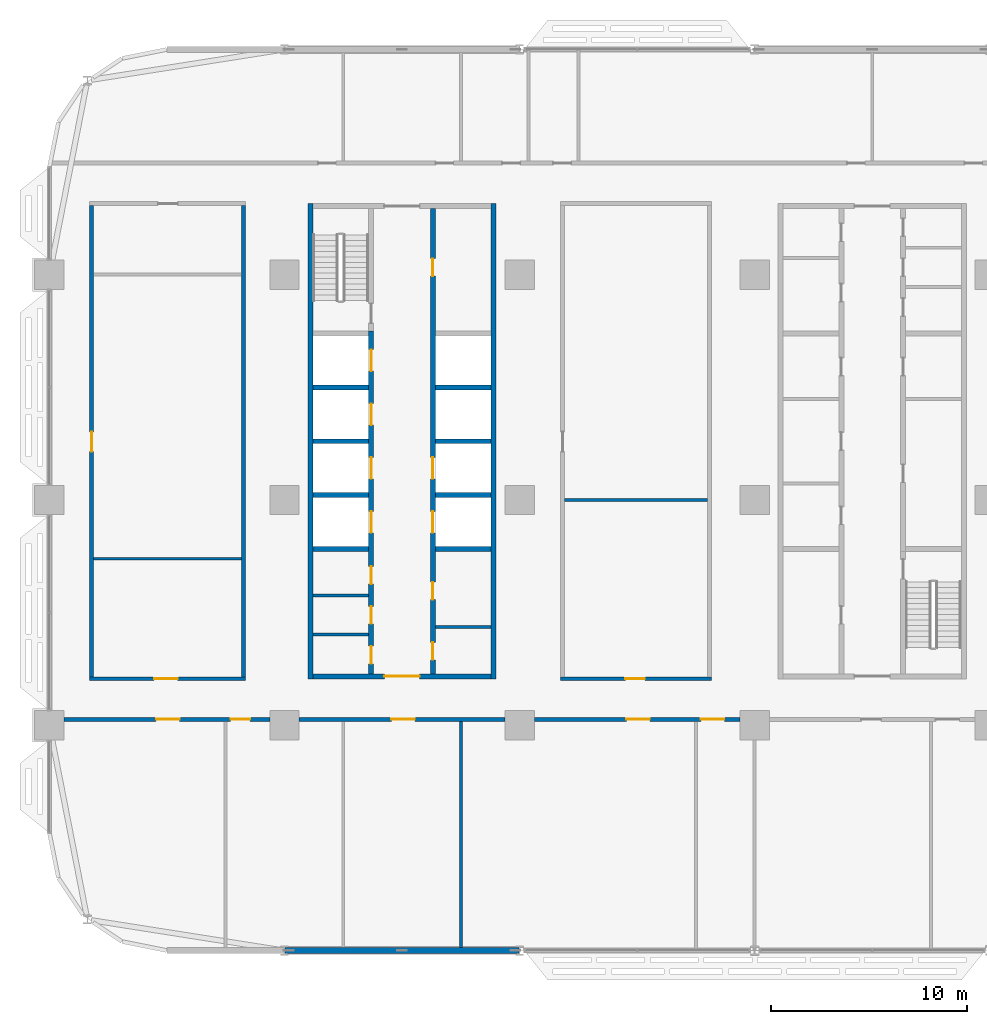
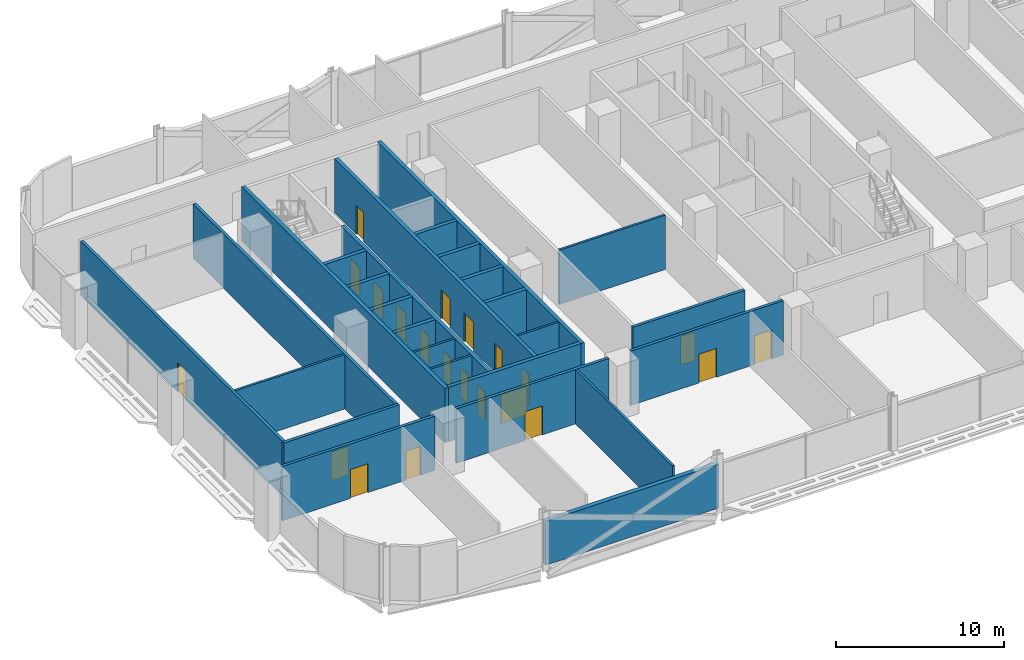
# One storey, part 12 of 29: 27 walls, 21 doors, 21 openings.
"""IFC4 building model written with IfcOpenShell, lengths in metres."""

import ifcopenshell
import ifcopenshell.guid

model = None  # the IFC model being written
_history = None  # IfcOwnerHistory: only IFC2X3 demands one
_inside = {}  # id of a spatial element -> (the spatial element, [elements in it])
_under = {}  # id of a project, library or spatial element -> (it, [spatial elements below it])
_declared = {}  # id of a project -> (the project, [libraries it declares])
_typed = {}  # id of a type object -> (the type object, [elements of that type])
_made_of = {}  # id of a material, layer set ... -> (it, [elements and type objects made of it])


def new_model(schema):
    """Start an empty IFC model of exactly this schema.

    Asked for "IFC4X3", IfcOpenShell would pick the latest addendum, in which some entities
    have other attributes; the version numbers below select the first issue.
    IFC2X3 requires an IfcOwnerHistory on every rooted entity: one is made here for all.
    """
    global model, _history
    if schema == "IFC4X3":
        model = ifcopenshell.file(schema_version=(4, 3, 0, 0))
    else:
        model = ifcopenshell.file(schema=schema)
    _inside.clear()
    _under.clear()
    _declared.clear()
    _typed.clear()
    _made_of.clear()
    _history = None
    if model.schema == "IFC2X3":
        org = make("IfcOrganization", Name="unknown")
        user = make(
            "IfcPersonAndOrganization",
            ThePerson=make("IfcPerson", FamilyName="unknown"),
            TheOrganization=org,
        )
        app = make(
            "IfcApplication",
            ApplicationDeveloper=org,
            Version="unknown",
            ApplicationFullName="unknown",
            ApplicationIdentifier="unknown",
        )
        _history = make(
            "IfcOwnerHistory",
            OwningUser=user,
            OwningApplication=app,
            ChangeAction="ADDED",
            CreationDate=0,
        )
    return model


def make(cls, **values):
    """One entity of the class cls with the attributes given. An attribute that is None is left unset."""
    return model.create_entity(
        cls, **{name: value for name, value in values.items() if value is not None}
    )


def rooted(cls, **values):
    """An entity with a GlobalId (a new one), such as an element, a storey or a relation."""
    return make(cls, GlobalId=ifcopenshell.guid.new(), OwnerHistory=_history, **values)


def si_unit(unit_type, name, prefix=None):
    """IfcSIUnit, for example si_unit("LENGTHUNIT", "METRE", prefix="MILLI")."""
    return make("IfcSIUnit", UnitType=unit_type, Prefix=prefix, Name=name)


def assignment(units):
    """IfcUnitAssignment: the units of a project."""
    return None if units is None else make("IfcUnitAssignment", Units=units)


def point(xyz):
    """IfcCartesianPoint."""
    return None if xyz is None else make("IfcCartesianPoint", Coordinates=xyz)


def direction(xyz):
    """IfcDirection."""
    return None if xyz is None else make("IfcDirection", DirectionRatios=xyz)


def frame(location, z_axis=None, x_axis=None):
    """IfcAxis2Placement3D, a coordinate frame: its origin and axes. An axis left out is left unset."""
    return make(
        "IfcAxis2Placement3D",
        Location=point(location),
        Axis=direction(z_axis),
        RefDirection=direction(x_axis),
    )


def frame_2d(location, x_axis=None):
    """IfcAxis2Placement2D, a coordinate frame in the plane: its origin and x axis."""
    return make(
        "IfcAxis2Placement2D", Location=point(location), RefDirection=direction(x_axis)
    )


def origin():
    """The frame at (0, 0, 0) with its axes left unset."""
    return frame((0.0, 0.0, 0.0))


def place(relative_to, where):
    """IfcLocalPlacement: puts the frame where relative to a parent placement (None: the world)."""
    return make(
        "IfcLocalPlacement", PlacementRelTo=relative_to, RelativePlacement=where
    )


def context(
    kind, dimensions, precision=None, world=None, true_north=None, identifier=None
):
    """IfcGeometricRepresentationContext, for example the 3D "Model" context."""
    return make(
        "IfcGeometricRepresentationContext",
        ContextIdentifier=identifier,
        ContextType=kind,
        CoordinateSpaceDimension=dimensions,
        Precision=precision,
        WorldCoordinateSystem=world,
        TrueNorth=true_north,
    )


def subcontext(parent, identifier, kind, view, scale=None):
    """IfcGeometricRepresentationSubContext, for example "Body" below "Model"."""
    return make(
        "IfcGeometricRepresentationSubContext",
        ContextIdentifier=identifier,
        ContextType=kind,
        ParentContext=parent,
        TargetScale=scale,
        TargetView=view,
    )


def project(units=None, contexts=None):
    """IfcProject with its units and contexts."""
    return rooted(
        "IfcProject",
        Name="project",
        RepresentationContexts=contexts,
        UnitsInContext=assignment(units),
    )


def spatial(cls, under=None, at=None, **own):
    """A site, building, storey or space (cls), placed at a placement, below another one or the project."""
    s = rooted(cls, ObjectPlacement=at, **own)
    if under is not None:
        _under.setdefault(under.id(), (under, []))[1].append(s)
    return s


def profile(cls, at=None, kind="AREA", **sizes):
    """A parametric profile (cls). Its sizes go by their IFC names, for example OverallWidth=200.0."""
    return make(cls, ProfileType=kind, Position=at, **sizes)


def rectangle(**sizes):
    """IfcRectangleProfileDef."""
    return profile("IfcRectangleProfileDef", **sizes)


def extrude(swept, where, along, depth):
    """IfcExtrudedAreaSolid: the profile swept, set in the frame where, extruded along a direction by depth."""
    return make(
        "IfcExtrudedAreaSolid",
        SweptArea=swept,
        Position=where,
        ExtrudedDirection=direction(along),
        Depth=depth,
    )


def shape(context_of_items, identifier, shape_type, items):
    """IfcShapeRepresentation: the items that make up one representation, for example the "Body"."""
    return make(
        "IfcShapeRepresentation",
        ContextOfItems=context_of_items,
        RepresentationIdentifier=identifier,
        RepresentationType=shape_type,
        Items=items,
    )


def material(Name=None, Category=None):
    """IfcMaterial."""
    return make("IfcMaterial", Name=Name, Category=Category)


def layer(
    of_material, thickness, ventilated=None, Name=None, Category=None, Priority=None
):
    """IfcMaterialLayer: one layer of a wall or slab, of a material (None: an air gap)."""
    return make(
        "IfcMaterialLayer",
        Material=of_material,
        LayerThickness=thickness,
        IsVentilated=ventilated,
        Name=Name,
        Category=Category,
        Priority=Priority,
    )


def layer_set(layers, Name=None):
    """IfcMaterialLayerSet."""
    return make("IfcMaterialLayerSet", MaterialLayers=layers, LayerSetName=Name)


def made_of(thing, what):
    """Note that an element or type object is made of a material, layer set ...; save() writes the relation."""
    if what is not None:
        _made_of.setdefault(what.id(), (what, []))[1].append(thing)
    return thing


def type_object(cls, material=None, **own):
    """A type object (cls), such as IfcWallType, which elements share."""
    return made_of(rooted(cls, **own), material)


def element(
    cls,
    number,
    at=None,
    inside=None,
    cuts=None,
    type_object=None,
    material=None,
    context=None,
    identifier="Body",
    shape_type=None,
    held_by="IfcProductDefinitionShape",
    body=None,
    shapes=None,
    **own,
):
    """One element of the class cls, such as IfcWall. Its Tag is "e" and its number.

    at: its placement. inside: the storey or other place that contains it. cuts: it is an
    opening in that element (IfcRelVoidsElement). A single representation is given by context,
    identifier, shape_type and body (its items); several are given by shapes. held_by: the class
    of the entity that holds the representations. save() writes the other relations.
    """
    e = rooted(cls, Tag="e%d" % number, ObjectPlacement=at, **own)
    if body is not None:
        shapes = [shape(context, identifier, shape_type, body)]
    if shapes is not None:
        e.Representation = make(held_by, Representations=shapes)
    if inside is not None:
        _inside.setdefault(inside.id(), (inside, []))[1].append(e)
    if cuts is not None:
        rooted(
            "IfcRelVoidsElement", RelatingBuildingElement=cuts, RelatedOpeningElement=e
        )
    if type_object is not None:
        _typed.setdefault(type_object.id(), (type_object, []))[1].append(e)
    return made_of(e, material)


def fill(opening, filler):
    """IfcRelFillsElement: the door or window that sits in an opening."""
    return rooted(
        "IfcRelFillsElement",
        RelatingOpeningElement=opening,
        RelatedBuildingElement=filler,
    )


def aggregate(whole, parts):
    """IfcRelAggregates: a whole, such as a stair, and the parts it consists of."""
    return rooted("IfcRelAggregates", RelatingObject=whole, RelatedObjects=parts)


def save(model, path):
    """Write the relations noted so far, then the file.

    IfcRelAggregates (storeys below a building ...), IfcRelContainedInSpatialStructure (elements
    in a storey), IfcRelDefinesByType, IfcRelAssociatesMaterial and IfcRelDeclares: one each for
    every whole, place, type object, material and project.
    """
    for whole, parts in _under.values():
        aggregate(whole, parts)
    for where, things in _inside.values():
        rooted(
            "IfcRelContainedInSpatialStructure",
            RelatedElements=things,
            RelatingStructure=where,
        )
    for kind, things in _typed.values():
        rooted("IfcRelDefinesByType", RelatedObjects=things, RelatingType=kind)
    for what, things in _made_of.values():
        rooted("IfcRelAssociatesMaterial", RelatedObjects=things, RelatingMaterial=what)
    for by, libraries in _declared.values():
        rooted("IfcRelDeclares", RelatingContext=by, RelatedDefinitions=libraries)
    model.write(path)


model = new_model("IFC4")

# Units and contexts
model_context = context("Model", 3, precision=1e-05, world=origin(), true_north=direction((0.0, 1.0)))
body_context = subcontext(model_context, "Body", "Model", "MODEL_VIEW")
ifc_project = project(units=[si_unit("LENGTHUNIT", "METRE"), si_unit("AREAUNIT", "SQUARE_METRE"), si_unit("VOLUMEUNIT", "CUBIC_METRE"), si_unit("PLANEANGLEUNIT", "RADIAN"), si_unit("MASSUNIT", "GRAM", prefix="KILO")], contexts=[model_context])

# Site, building, storey
site_placement = place(None, origin())
site = spatial("IfcSite", under=ifc_project, at=site_placement, CompositionType="ELEMENT")
building_placement = place(site_placement, origin())
building = spatial("IfcBuilding", under=site, at=building_placement, Name="Mahtab Terrace Research Tower", CompositionType="ELEMENT")
storey_placement = place(building_placement, frame((0.0, 0.0, 71.800048828125)))
storey = spatial("IfcBuildingStorey", under=building, at=storey_placement, Name="L16", CompositionType="ELEMENT", Elevation=71.800048828125)

# Walls
ifc_material_1 = material(Name="Gypsum board partition")
ifc_layer_1 = layer(ifc_material_1, 0.14990234375)
ifc_layer_set_1 = layer_set([ifc_layer_1], Name="Core partition 150")
wall_type_1 = type_object("IfcWallType", Name="Core partition 150", PredefinedType="PARTITIONING", material=ifc_layer_set_1)
for number, where, z_axis, x_axis, name in (
    (1, (-28.550048828125, -6.875, 0.0), (0.0, 0.0, 1.0), (1.0, 0.0, 0.0), "Core wall A pWS-988"),
    (2, (-28.550048828125, -4.875, 0.0), (0.0, 0.0, 1.0), (1.0, 0.0, 0.0), "Core wall A pWS-788"),
    (3, (-22.300048828125, -6.47509765625, 0.0), (0.0, 0.0, 1.0), (1.0, 0.0, 0.0), "Core wall A pES-948"),
):
    element("IfcWall", number, at=place(storey_placement, frame(where, z_axis=z_axis, x_axis=x_axis)), inside=storey, type_object=wall_type_1, Name=name, PredefinedType="PARTITIONING", context=body_context, shape_type="SweptSolid", body=[
        extrude(rectangle(XDim=2.85009765625, YDim=0.14990234375, at=frame_2d((1.425048828125, 0.0))), origin(), (0.0, 0.0, 1.0), 3.9599609375),
    ])
ifc_material_2 = material(Name="Concrete C70/85", Category="concrete")
ifc_layer_2 = layer(ifc_material_2, 0.25)
ifc_layer_set_2 = layer_set([ifc_layer_2], Name="Core wall 250")
wall_type_2 = type_object("IfcWallType", Name="Core wall 250", PredefinedType="SOLIDWALL", material=ifc_layer_set_2)
for number, where, z_axis, x_axis, name in (
    (4, (-28.675048828125, 15.125, 0.0), (0.0, 0.0, 1.0), (0.0, -1.0, 0.0), "Core wall A outerW"),
    (5, (-19.324951171875, -9.125, 0.0), (0.0, 0.0, 1.0), (0.0, 1.0, 0.0), "Core wall A outerE"),
):
    element("IfcWall", number, at=place(storey_placement, frame(where, z_axis=z_axis, x_axis=x_axis)), inside=storey, type_object=wall_type_2, Name=name, PredefinedType="SOLIDWALL", context=body_context, shape_type="SweptSolid", body=[
        extrude(rectangle(XDim=24.25, YDim=0.25, at=frame_2d((12.125, 0.0))), origin(), (0.0, 0.0, 1.0), 3.9599609375),
    ])

# Wall, opening, door
wall_1_placement = place(storey_placement, frame((-19.449951171875, -9.0, 0.0), z_axis=(0.0, 0.0, 1.0), x_axis=(-1.0, 0.0, 0.0)))
wall_1 = element("IfcWall", 6, at=wall_1_placement, inside=storey, type_object=wall_type_2, Name="Core wall A endS", PredefinedType="SOLIDWALL", context=body_context, shape_type="SweptSolid", body=[
    extrude(rectangle(XDim=9.10009765625, YDim=0.25, at=frame_2d((4.550048828125, 0.0))), origin(), (0.0, 0.0, 1.0), 3.9599609375),
])
opening_1_placement = place(wall_1_placement, frame((3.64990234375, 0.0, 0.0)))
opening_1 = element("IfcOpeningElement", 7, at=opening_1_placement, cuts=wall_1, Name="Opening A-S1", PredefinedType="OPENING", context=body_context, shape_type="SweptSolid", body=[
    extrude(rectangle(XDim=1.800048828125, YDim=2.10009765625, at=frame_2d((0.89990234375, 1.050048828125))), frame((0.0, 0.135009765625, 0.0), z_axis=(0.0, -1.0, 0.0), x_axis=(1.0, 0.0, 0.0)), (0.0, 0.0, 1.0), 0.27001953125),
])
ifc_material_3 = material(Name="Steel fire door", Category="steel")
door_type_1 = type_object("IfcDoorType", Name="Lobby double door 1800x2100 1 HR", OperationType="DOUBLE_DOOR_SINGLE_SWING", PredefinedType="DOOR", material=ifc_material_3)
door_1_placement = place(opening_1_placement, origin())
door_1 = element("IfcDoor", 8, at=door_1_placement, inside=storey, type_object=door_type_1, Name="Core entrance door A S", OperationType="DOUBLE_DOOR_SINGLE_SWING", OverallHeight=2.10009765625, OverallWidth=1.800048828125, PredefinedType="DOOR", context=body_context, shape_type="SweptSolid", body=[
    extrude(rectangle(XDim=1.800048828125, YDim=2.10009765625, at=frame_2d((0.89990234375, 1.050048828125))), frame((0.0, 0.02490234375, 0.0), z_axis=(0.0, -1.0, 0.0), x_axis=(1.0, 0.0, 0.0)), (0.0, 0.0, 1.0), 0.050048828125),
])
fill(opening_1, door_1)

# Wall, openings, doors
wall_2_placement = place(storey_placement, frame((-25.574951171875, -8.875, 0.0), z_axis=(0.0, 0.0, 1.0), x_axis=(0.0, 1.0, 0.0)))
wall_2 = element("IfcWall", 9, at=wall_2_placement, inside=storey, type_object=wall_type_2, Name="Core wall A innerWSL", PredefinedType="SOLIDWALL", context=body_context, shape_type="SweptSolid", body=[
    extrude(rectangle(XDim=17.5, YDim=0.25, at=frame_2d((8.75, 0.0))), origin(), (0.0, 0.0, 1.0), 3.9599609375),
])
opening_2_placement = place(wall_2_placement, frame((7.199951171875, 0.0, 0.0)))
opening_2 = element("IfcOpeningElement", 10, at=opening_2_placement, cuts=wall_2, Name="Opening LD01-L16", PredefinedType="OPENING", context=body_context, shape_type="SweptSolid", body=[
    extrude(rectangle(XDim=1.10009765625, YDim=2.10009765625, at=frame_2d((0.550048828125, 1.050048828125))), frame((0.0, 0.135009765625, 0.0), z_axis=(0.0, -1.0, 0.0), x_axis=(1.0, 0.0, 0.0)), (0.0, 0.0, 1.0), 0.27001953125),
])
opening_3_placement = place(wall_2_placement, frame((9.949951171875, 0.0, 0.0)))
opening_3 = element("IfcOpeningElement", 11, at=opening_3_placement, cuts=wall_2, Name="Opening LD02-L16", PredefinedType="OPENING", context=body_context, shape_type="SweptSolid", body=[
    extrude(rectangle(XDim=1.10009765625, YDim=2.10009765625, at=frame_2d((0.550048828125, 1.050048828125))), frame((0.0, 0.135009765625, 0.0), z_axis=(0.0, -1.0, 0.0), x_axis=(1.0, 0.0, 0.0)), (0.0, 0.0, 1.0), 0.27001953125),
])
opening_4_placement = place(wall_2_placement, frame((12.699951171875, 0.0, 0.0)))
opening_4 = element("IfcOpeningElement", 12, at=opening_4_placement, cuts=wall_2, Name="Opening LD03-L16", PredefinedType="OPENING", context=body_context, shape_type="SweptSolid", body=[
    extrude(rectangle(XDim=1.10009765625, YDim=2.10009765625, at=frame_2d((0.550048828125, 1.050048828125))), frame((0.0, 0.135009765625, 0.0), z_axis=(0.0, -1.0, 0.0), x_axis=(1.0, 0.0, 0.0)), (0.0, 0.0, 1.0), 0.27001953125),
])
opening_5_placement = place(wall_2_placement, frame((15.449951171875, 0.0, 0.0)))
opening_5 = element("IfcOpeningElement", 13, at=opening_5_placement, cuts=wall_2, Name="Opening LD04-L16", PredefinedType="OPENING", context=body_context, shape_type="SweptSolid", body=[
    extrude(rectangle(XDim=1.10009765625, YDim=2.10009765625, at=frame_2d((0.550048828125, 1.050048828125))), frame((0.0, 0.135009765625, 0.0), z_axis=(0.0, -1.0, 0.0), x_axis=(1.0, 0.0, 0.0)), (0.0, 0.0, 1.0), 0.27001953125),
])
opening_6_placement = place(wall_2_placement, frame((0.512451171875, 0.0, 0.0)))
opening_6 = element("IfcOpeningElement", 14, at=opening_6_placement, cuts=wall_2, Name="Opening A-R1", PredefinedType="OPENING", context=body_context, shape_type="SweptSolid", body=[
    extrude(rectangle(XDim=0.89990234375, YDim=2.10009765625, at=frame_2d((0.449951171875, 1.050048828125))), frame((0.0, 0.135009765625, 0.0), z_axis=(0.0, -1.0, 0.0), x_axis=(1.0, 0.0, 0.0)), (0.0, 0.0, 1.0), 0.27001953125),
])
opening_7_placement = place(wall_2_placement, frame((2.550048828125, 0.0, 0.0)))
opening_7 = element("IfcOpeningElement", 15, at=opening_7_placement, cuts=wall_2, Name="Opening A-R2", PredefinedType="OPENING", context=body_context, shape_type="SweptSolid", body=[
    extrude(rectangle(XDim=0.89990234375, YDim=2.10009765625, at=frame_2d((0.449951171875, 1.050048828125))), frame((0.0, 0.135009765625, 0.0), z_axis=(0.0, -1.0, 0.0), x_axis=(1.0, 0.0, 0.0)), (0.0, 0.0, 1.0), 0.27001953125),
])
opening_8_placement = place(wall_2_placement, frame((4.58740234375, 0.0, 0.0)))
opening_8 = element("IfcOpeningElement", 16, at=opening_8_placement, cuts=wall_2, Name="Opening A-R3", PredefinedType="OPENING", context=body_context, shape_type="SweptSolid", body=[
    extrude(rectangle(XDim=0.89990234375, YDim=2.10009765625, at=frame_2d((0.449951171875, 1.050048828125))), frame((0.0, 0.135009765625, 0.0), z_axis=(0.0, -1.0, 0.0), x_axis=(1.0, 0.0, 0.0)), (0.0, 0.0, 1.0), 0.27001953125),
])
ifc_material_4 = material(Name="Stainless steel AISI 304", Category="steel")
door_type_2 = type_object("IfcDoorType", Name="Landing door 1100x2100", OperationType="DOUBLE_DOOR_SLIDING", PredefinedType="DOOR", material=ifc_material_4)
door_2_placement = place(opening_2_placement, origin())
door_2 = element("IfcDoor", 17, at=door_2_placement, inside=storey, type_object=door_type_2, Name="Landing door LR1 L16", OperationType="DOUBLE_DOOR_SLIDING", OverallHeight=2.10009765625, OverallWidth=1.10009765625, PredefinedType="DOOR", context=body_context, shape_type="SweptSolid", body=[
    extrude(rectangle(XDim=1.10009765625, YDim=2.10009765625, at=frame_2d((0.550048828125, 1.050048828125))), frame((0.0, 0.02490234375, 0.0), z_axis=(0.0, -1.0, 0.0), x_axis=(1.0, 0.0, 0.0)), (0.0, 0.0, 1.0), 0.050048828125),
])
fill(opening_2, door_2)
door_3_placement = place(opening_3_placement, origin())
door_3 = element("IfcDoor", 18, at=door_3_placement, inside=storey, type_object=door_type_2, Name="Landing door LR2 L16", OperationType="DOUBLE_DOOR_SLIDING", OverallHeight=2.10009765625, OverallWidth=1.10009765625, PredefinedType="DOOR", context=body_context, shape_type="SweptSolid", body=[
    extrude(rectangle(XDim=1.10009765625, YDim=2.10009765625, at=frame_2d((0.550048828125, 1.050048828125))), frame((0.0, 0.02490234375, 0.0), z_axis=(0.0, -1.0, 0.0), x_axis=(1.0, 0.0, 0.0)), (0.0, 0.0, 1.0), 0.050048828125),
])
fill(opening_3, door_3)
door_4_placement = place(opening_4_placement, origin())
door_4 = element("IfcDoor", 19, at=door_4_placement, inside=storey, type_object=door_type_2, Name="Landing door LR3 L16", OperationType="DOUBLE_DOOR_SLIDING", OverallHeight=2.10009765625, OverallWidth=1.10009765625, PredefinedType="DOOR", context=body_context, shape_type="SweptSolid", body=[
    extrude(rectangle(XDim=1.10009765625, YDim=2.10009765625, at=frame_2d((0.550048828125, 1.050048828125))), frame((0.0, 0.02490234375, 0.0), z_axis=(0.0, -1.0, 0.0), x_axis=(1.0, 0.0, 0.0)), (0.0, 0.0, 1.0), 0.050048828125),
])
fill(opening_4, door_4)
door_5_placement = place(opening_5_placement, origin())
door_5 = element("IfcDoor", 20, at=door_5_placement, inside=storey, type_object=door_type_2, Name="Landing door LR4 L16", OperationType="DOUBLE_DOOR_SLIDING", OverallHeight=2.10009765625, OverallWidth=1.10009765625, PredefinedType="DOOR", context=body_context, shape_type="SweptSolid", body=[
    extrude(rectangle(XDim=1.10009765625, YDim=2.10009765625, at=frame_2d((0.550048828125, 1.050048828125))), frame((0.0, 0.02490234375, 0.0), z_axis=(0.0, -1.0, 0.0), x_axis=(1.0, 0.0, 0.0)), (0.0, 0.0, 1.0), 0.050048828125),
])
fill(opening_5, door_5)
door_type_3 = type_object("IfcDoorType", Name="Room door 900x2100 1 HR", OperationType="NOTDEFINED", PredefinedType="DOOR", material=ifc_material_3)
door_6_placement = place(opening_6_placement, origin())
door_6 = element("IfcDoor", 21, at=door_6_placement, inside=storey, type_object=door_type_3, Name="Male WC door", OperationType="SINGLE_SWING_LEFT", OverallHeight=2.10009765625, OverallWidth=0.89990234375, PredefinedType="DOOR", context=body_context, shape_type="SweptSolid", body=[
    extrude(rectangle(XDim=0.89990234375, YDim=2.10009765625, at=frame_2d((0.449951171875, 1.050048828125))), frame((0.0, 0.02490234375, 0.0), z_axis=(0.0, -1.0, 0.0), x_axis=(1.0, 0.0, 0.0)), (0.0, 0.0, 1.0), 0.050048828125),
])
fill(opening_6, door_6)
door_7_placement = place(opening_7_placement, origin())
door_7 = element("IfcDoor", 22, at=door_7_placement, inside=storey, type_object=door_type_3, Name="Female WC door", OperationType="SINGLE_SWING_RIGHT", OverallHeight=2.10009765625, OverallWidth=0.89990234375, PredefinedType="DOOR", context=body_context, shape_type="SweptSolid", body=[
    extrude(rectangle(XDim=0.89990234375, YDim=2.10009765625, at=frame_2d((0.449951171875, 1.050048828125))), frame((0.0, 0.02490234375, 0.0), z_axis=(0.0, -1.0, 0.0), x_axis=(1.0, 0.0, 0.0)), (0.0, 0.0, 1.0), 0.050048828125),
])
fill(opening_7, door_7)
door_8_placement = place(opening_8_placement, origin())
door_8 = element("IfcDoor", 23, at=door_8_placement, inside=storey, type_object=door_type_3, Name="Accessible WC door", OperationType="SINGLE_SWING_LEFT", OverallHeight=2.10009765625, OverallWidth=0.89990234375, PredefinedType="DOOR", context=body_context, shape_type="SweptSolid", body=[
    extrude(rectangle(XDim=0.89990234375, YDim=2.10009765625, at=frame_2d((0.449951171875, 1.050048828125))), frame((0.0, 0.02490234375, 0.0), z_axis=(0.0, -1.0, 0.0), x_axis=(1.0, 0.0, 0.0)), (0.0, 0.0, 1.0), 0.050048828125),
])
fill(opening_8, door_8)

wall_3_placement = place(storey_placement, frame((-22.425048828125, 14.875, 0.0), z_axis=(0.0, 0.0, 1.0), x_axis=(0.0, -1.0, 0.0)))
wall_3 = element("IfcWall", 24, at=wall_3_placement, inside=storey, type_object=wall_type_2, Name="Core wall A innerESLN", PredefinedType="SOLIDWALL", context=body_context, shape_type="SweptSolid", body=[
    extrude(rectangle(XDim=23.75, YDim=0.25, at=frame_2d((11.875, 0.0))), origin(), (0.0, 0.0, 1.0), 3.9599609375),
])
opening_9_placement = place(wall_3_placement, frame((15.449951171875, 0.0, 0.0)))
opening_9 = element("IfcOpeningElement", 25, at=opening_9_placement, cuts=wall_3, Name="Opening LD05-L16", PredefinedType="OPENING", context=body_context, shape_type="SweptSolid", body=[
    extrude(rectangle(XDim=1.10009765625, YDim=2.10009765625, at=frame_2d((0.550048828125, 1.050048828125))), frame((0.0, 0.135009765625, 0.0), z_axis=(0.0, -1.0, 0.0), x_axis=(1.0, 0.0, 0.0)), (0.0, 0.0, 1.0), 0.27001953125),
])
opening_10_placement = place(wall_3_placement, frame((12.699951171875, 0.0, 0.0)))
opening_10 = element("IfcOpeningElement", 26, at=opening_10_placement, cuts=wall_3, Name="Opening LD06-L16", PredefinedType="OPENING", context=body_context, shape_type="SweptSolid", body=[
    extrude(rectangle(XDim=1.10009765625, YDim=2.10009765625, at=frame_2d((0.550048828125, 1.050048828125))), frame((0.0, 0.135009765625, 0.0), z_axis=(0.0, -1.0, 0.0), x_axis=(1.0, 0.0, 0.0)), (0.0, 0.0, 1.0), 0.27001953125),
])
opening_11_placement = place(wall_3_placement, frame((22.137451171875, 0.0, 0.0)))
opening_11 = element("IfcOpeningElement", 27, at=opening_11_placement, cuts=wall_3, Name="Opening A-R4", PredefinedType="OPENING", context=body_context, shape_type="SweptSolid", body=[
    extrude(rectangle(XDim=0.89990234375, YDim=2.10009765625, at=frame_2d((0.449951171875, 1.050048828125))), frame((0.0, 0.135009765625, 0.0), z_axis=(0.0, -1.0, 0.0), x_axis=(1.0, 0.0, 0.0)), (0.0, 0.0, 1.0), 0.27001953125),
])
opening_12_placement = place(wall_3_placement, frame((19.0625, 0.0, 0.0)))
opening_12 = element("IfcOpeningElement", 28, at=opening_12_placement, cuts=wall_3, Name="Opening A-R5", PredefinedType="OPENING", context=body_context, shape_type="SweptSolid", body=[
    extrude(rectangle(XDim=0.89990234375, YDim=2.10009765625, at=frame_2d((0.449951171875, 1.050048828125))), frame((0.0, 0.135009765625, 0.0), z_axis=(0.0, -1.0, 0.0), x_axis=(1.0, 0.0, 0.0)), (0.0, 0.0, 1.0), 0.27001953125),
])
opening_13_placement = place(wall_3_placement, frame((2.550048828125, 0.0, 0.0)))
opening_13 = element("IfcOpeningElement", 29, at=opening_13_placement, cuts=wall_3, Name="Opening A-R6", PredefinedType="OPENING", context=body_context, shape_type="SweptSolid", body=[
    extrude(rectangle(XDim=0.89990234375, YDim=2.10009765625, at=frame_2d((0.449951171875, 1.050048828125))), frame((0.0, 0.135009765625, 0.0), z_axis=(0.0, -1.0, 0.0), x_axis=(1.0, 0.0, 0.0)), (0.0, 0.0, 1.0), 0.27001953125),
])
door_9_placement = place(opening_9_placement, origin())
door_9 = element("IfcDoor", 30, at=door_9_placement, inside=storey, type_object=door_type_2, Name="Landing door LR5 L16", OperationType="DOUBLE_DOOR_SLIDING", OverallHeight=2.10009765625, OverallWidth=1.10009765625, PredefinedType="DOOR", context=body_context, shape_type="SweptSolid", body=[
    extrude(rectangle(XDim=1.10009765625, YDim=2.10009765625, at=frame_2d((0.550048828125, 1.050048828125))), frame((0.0, 0.02490234375, 0.0), z_axis=(0.0, -1.0, 0.0), x_axis=(1.0, 0.0, 0.0)), (0.0, 0.0, 1.0), 0.050048828125),
])
fill(opening_9, door_9)
door_10_placement = place(opening_10_placement, origin())
door_10 = element("IfcDoor", 31, at=door_10_placement, inside=storey, type_object=door_type_2, Name="Landing door LR6 L16", OperationType="DOUBLE_DOOR_SLIDING", OverallHeight=2.10009765625, OverallWidth=1.10009765625, PredefinedType="DOOR", context=body_context, shape_type="SweptSolid", body=[
    extrude(rectangle(XDim=1.10009765625, YDim=2.10009765625, at=frame_2d((0.550048828125, 1.050048828125))), frame((0.0, 0.02490234375, 0.0), z_axis=(0.0, -1.0, 0.0), x_axis=(1.0, 0.0, 0.0)), (0.0, 0.0, 1.0), 0.050048828125),
])
fill(opening_10, door_10)
door_11_placement = place(opening_11_placement, origin())
door_11 = element("IfcDoor", 32, at=door_11_placement, inside=storey, type_object=door_type_3, Name="Mechanical riser room door", OperationType="SINGLE_SWING_RIGHT", OverallHeight=2.10009765625, OverallWidth=0.89990234375, PredefinedType="DOOR", context=body_context, shape_type="SweptSolid", body=[
    extrude(rectangle(XDim=0.89990234375, YDim=2.10009765625, at=frame_2d((0.449951171875, 1.050048828125))), frame((0.0, 0.02490234375, 0.0), z_axis=(0.0, -1.0, 0.0), x_axis=(1.0, 0.0, 0.0)), (0.0, 0.0, 1.0), 0.050048828125),
])
fill(opening_11, door_11)
door_12_placement = place(opening_12_placement, origin())
door_12 = element("IfcDoor", 33, at=door_12_placement, inside=storey, type_object=door_type_3, Name="Chemical store door", OperationType="SINGLE_SWING_LEFT", OverallHeight=2.10009765625, OverallWidth=0.89990234375, PredefinedType="DOOR", context=body_context, shape_type="SweptSolid", body=[
    extrude(rectangle(XDim=0.89990234375, YDim=2.10009765625, at=frame_2d((0.449951171875, 1.050048828125))), frame((0.0, 0.02490234375, 0.0), z_axis=(0.0, -1.0, 0.0), x_axis=(1.0, 0.0, 0.0)), (0.0, 0.0, 1.0), 0.050048828125),
])
fill(opening_12, door_12)
door_13_placement = place(opening_13_placement, origin())
door_13 = element("IfcDoor", 34, at=door_13_placement, inside=storey, type_object=door_type_3, Name="Gas cylinder store door", OperationType="SINGLE_SWING_RIGHT", OverallHeight=2.10009765625, OverallWidth=0.89990234375, PredefinedType="DOOR", context=body_context, shape_type="SweptSolid", body=[
    extrude(rectangle(XDim=0.89990234375, YDim=2.10009765625, at=frame_2d((0.449951171875, 1.050048828125))), frame((0.0, 0.02490234375, 0.0), z_axis=(0.0, -1.0, 0.0), x_axis=(1.0, 0.0, 0.0)), (0.0, 0.0, 1.0), 0.050048828125),
])
fill(opening_13, door_13)

# Walls
for number, where, z_axis, x_axis, name in (
    (35, (-28.550048828125, -2.5, 0.0), (0.0, 0.0, 1.0), (1.0, 0.0, 0.0), "Core wall A divW0"),
    (36, (-28.550048828125, 0.25, 0.0), (0.0, 0.0, 1.0), (1.0, 0.0, 0.0), "Core wall A divW1"),
    (37, (-28.550048828125, 3.0, 0.0), (0.0, 0.0, 1.0), (1.0, 0.0, 0.0), "Core wall A divW2"),
    (38, (-28.550048828125, 5.75, 0.0), (0.0, 0.0, 1.0), (1.0, 0.0, 0.0), "Core wall A divW3"),
    (39, (-22.300048828125, -2.5, 0.0), (0.0, 0.0, 1.0), (1.0, 0.0, 0.0), "Core wall A divE0"),
    (40, (-22.300048828125, 0.25, 0.0), (0.0, 0.0, 1.0), (1.0, 0.0, 0.0), "Core wall A divE1"),
    (41, (-22.300048828125, 3.0, 0.0), (0.0, 0.0, 1.0), (1.0, 0.0, 0.0), "Core wall A divE2"),
    (42, (-22.300048828125, 5.75, 0.0), (0.0, 0.0, 1.0), (1.0, 0.0, 0.0), "Core wall A divE3"),
):
    element("IfcWall", number, at=place(storey_placement, frame(where, z_axis=z_axis, x_axis=x_axis)), inside=storey, type_object=wall_type_2, Name=name, PredefinedType="SOLIDWALL", context=body_context, shape_type="SweptSolid", body=[
        extrude(rectangle(XDim=2.85009765625, YDim=0.25, at=frame_2d((1.425048828125, 0.0))), origin(), (0.0, 0.0, 1.0), 3.9599609375),
    ])
ifc_material_5 = material(Name="Black aluminium cladding panel", Category="aluminium")
ifc_layer_3 = layer(ifc_material_5, 0.300048828125)
ifc_layer_set_3 = layer_set([ifc_layer_3], Name="Opaque facade wall 300")
wall_type_3 = type_object("IfcWallType", Name="Opaque facade wall 300", PredefinedType="NOTDEFINED", material=ifc_layer_set_3)
wall_4_placement = place(storey_placement, frame((-29.97607421875, -23.0, 0.0), z_axis=(0.0, 0.0, 1.0), x_axis=(1.0, 0.0, 0.0)))
element("IfcWall", 43, at=wall_4_placement, inside=storey, type_object=wall_type_3, Name="Opaque facade wall L16 S24", PredefinedType="NOTDEFINED", context=body_context, shape_type="SweptSolid", body=[
    extrude(rectangle(XDim=11.9521484375, YDim=0.300048828125, at=frame_2d((5.97607421875, 0.0))), origin(), (0.0, 0.0, 1.0), 3.203125),
])

# Wall, openings, doors
ifc_material_6 = material(Name="Gypsum board corridor wall on steel studs", Category="steel")
ifc_layer_4 = layer(ifc_material_6, 0.199951171875)
ifc_layer_set_4 = layer_set([ifc_layer_4], Name="WALL CORRIDOR 200")
wall_type_4 = type_object("IfcWallType", Name="WALL CORRIDOR 200", PredefinedType="PARTITIONING", material=ifc_layer_set_4)
wall_5_placement = place(storey_placement, frame((-41.25, -11.199951171875, 0.0), z_axis=(0.0, 0.0, 1.0), x_axis=(1.0, 0.0, 0.0)))
wall_5 = element("IfcWall", 44, at=wall_5_placement, inside=storey, type_object=wall_type_4, Name="L16-W001", PredefinedType="PARTITIONING", context=body_context, shape_type="SweptSolid", body=[
    extrude(rectangle(XDim=10.5, YDim=0.199951171875, at=frame_2d((5.25, 0.0))), origin(), (0.0, 0.0, 1.0), 3.9599609375),
])
opening_14_placement = place(wall_5_placement, frame((4.699951171875, 0.0, 0.0)))
opening_14 = element("IfcOpeningElement", 45, at=opening_14_placement, cuts=wall_5, Name="Opening L16-101", PredefinedType="OPENING", context=body_context, shape_type="SweptSolid", body=[
    extrude(rectangle(XDim=1.199951171875, YDim=2.10009765625, at=frame_2d((0.60009765625, 1.050048828125))), frame((0.0, 0.10986328125, 0.0), z_axis=(0.0, -1.0, 0.0), x_axis=(1.0, 0.0, 0.0)), (0.0, 0.0, 1.0), 0.219970703125),
])
opening_15_placement = place(wall_5_placement, frame((8.5, 0.0, 0.0)))
opening_15 = element("IfcOpeningElement", 46, at=opening_15_placement, cuts=wall_5, Name="Opening L16-102", PredefinedType="OPENING", context=body_context, shape_type="SweptSolid", body=[
    extrude(rectangle(XDim=1.0, YDim=2.10009765625, at=frame_2d((0.5, 1.050048828125))), frame((0.0, 0.10986328125, 0.0), z_axis=(0.0, -1.0, 0.0), x_axis=(1.0, 0.0, 0.0)), (0.0, 0.0, 1.0), 0.219970703125),
])
ifc_material_7 = material(Name="Timber door leaf in steel frame", Category="steel")
door_type_4 = type_object("IfcDoorType", Name="DOOR 1000X2100 FD30S", OperationType="SINGLE_SWING_LEFT", PredefinedType="DOOR", material=ifc_material_7)
door_14_placement = place(opening_15_placement, origin())
door_14 = element("IfcDoor", 47, at=door_14_placement, inside=storey, type_object=door_type_4, Name="Door L16-102", OperationType="SINGLE_SWING_LEFT", OverallHeight=2.10009765625, OverallWidth=1.0, PredefinedType="DOOR", context=body_context, shape_type="SweptSolid", body=[
    extrude(rectangle(XDim=1.0, YDim=2.10009765625, at=frame_2d((0.5, 1.050048828125))), frame((0.0, 0.02490234375, 0.0), z_axis=(0.0, -1.0, 0.0), x_axis=(1.0, 0.0, 0.0)), (0.0, 0.0, 1.0), 0.050048828125),
])
fill(opening_15, door_14)
door_type_5 = type_object("IfcDoorType", Name="DOOR 1200X2100 FD30S", OperationType="SINGLE_SWING_LEFT", PredefinedType="DOOR", material=ifc_material_7)
door_15_placement = place(opening_14_placement, origin())
door_15 = element("IfcDoor", 48, at=door_15_placement, inside=storey, type_object=door_type_5, Name="Door L16-101", OperationType="SINGLE_SWING_LEFT", OverallHeight=2.10009765625, OverallWidth=1.199951171875, PredefinedType="DOOR", context=body_context, shape_type="SweptSolid", body=[
    extrude(rectangle(XDim=1.199951171875, YDim=2.10009765625, at=frame_2d((0.60009765625, 1.050048828125))), frame((0.0, 0.02490234375, 0.0), z_axis=(0.0, -1.0, 0.0), x_axis=(1.0, 0.0, 0.0)), (0.0, 0.0, 1.0), 0.050048828125),
])
fill(opening_14, door_15)

# Wall, opening, door
wall_6_placement = place(storey_placement, frame((-29.25, -11.199951171875, 0.0), z_axis=(0.0, 0.0, 1.0), x_axis=(1.0, 0.0, 0.0)))
wall_6 = element("IfcWall", 49, at=wall_6_placement, inside=storey, type_object=wall_type_4, Name="L16-W002", PredefinedType="PARTITIONING", context=body_context, shape_type="SweptSolid", body=[
    extrude(rectangle(XDim=10.5, YDim=0.199951171875, at=frame_2d((5.25, 0.0))), origin(), (0.0, 0.0, 1.0), 3.9599609375),
])
opening_16_placement = place(wall_6_placement, frame((4.699951171875, 0.0, 0.0)))
opening_16 = element("IfcOpeningElement", 50, at=opening_16_placement, cuts=wall_6, Name="Opening L16-103", PredefinedType="OPENING", context=body_context, shape_type="SweptSolid", body=[
    extrude(rectangle(XDim=1.199951171875, YDim=2.10009765625, at=frame_2d((0.60009765625, 1.050048828125))), frame((0.0, 0.10986328125, 0.0), z_axis=(0.0, -1.0, 0.0), x_axis=(1.0, 0.0, 0.0)), (0.0, 0.0, 1.0), 0.219970703125),
])
door_16_placement = place(opening_16_placement, origin())
door_16 = element("IfcDoor", 51, at=door_16_placement, inside=storey, type_object=door_type_5, Name="Door L16-103", OperationType="SINGLE_SWING_LEFT", OverallHeight=2.10009765625, OverallWidth=1.199951171875, PredefinedType="DOOR", context=body_context, shape_type="SweptSolid", body=[
    extrude(rectangle(XDim=1.199951171875, YDim=2.10009765625, at=frame_2d((0.60009765625, 1.050048828125))), frame((0.0, 0.02490234375, 0.0), z_axis=(0.0, -1.0, 0.0), x_axis=(1.0, 0.0, 0.0)), (0.0, 0.0, 1.0), 0.050048828125),
])
fill(opening_16, door_16)

# Wall, openings, doors
wall_7_placement = place(storey_placement, frame((-17.25, -11.199951171875, 0.0), z_axis=(0.0, 0.0, 1.0), x_axis=(1.0, 0.0, 0.0)))
wall_7 = element("IfcWall", 52, at=wall_7_placement, inside=storey, type_object=wall_type_4, Name="L16-W003", PredefinedType="PARTITIONING", context=body_context, shape_type="SweptSolid", body=[
    extrude(rectangle(XDim=10.5, YDim=0.199951171875, at=frame_2d((5.25, 0.0))), origin(), (0.0, 0.0, 1.0), 3.9599609375),
])
opening_17_placement = place(wall_7_placement, frame((4.699951171875, 0.0, 0.0)))
opening_17 = element("IfcOpeningElement", 53, at=opening_17_placement, cuts=wall_7, Name="Opening L16-104", PredefinedType="OPENING", context=body_context, shape_type="SweptSolid", body=[
    extrude(rectangle(XDim=1.199951171875, YDim=2.10009765625, at=frame_2d((0.60009765625, 1.050048828125))), frame((0.0, 0.10986328125, 0.0), z_axis=(0.0, -1.0, 0.0), x_axis=(1.0, 0.0, 0.0)), (0.0, 0.0, 1.0), 0.219970703125),
])
opening_18_placement = place(wall_7_placement, frame((8.5, 0.0, 0.0)))
opening_18 = element("IfcOpeningElement", 54, at=opening_18_placement, cuts=wall_7, Name="Opening L16-105", PredefinedType="OPENING", context=body_context, shape_type="SweptSolid", body=[
    extrude(rectangle(XDim=1.199951171875, YDim=2.10009765625, at=frame_2d((0.60009765625, 1.050048828125))), frame((0.0, 0.10986328125, 0.0), z_axis=(0.0, -1.0, 0.0), x_axis=(1.0, 0.0, 0.0)), (0.0, 0.0, 1.0), 0.219970703125),
])
door_17_placement = place(opening_17_placement, origin())
door_17 = element("IfcDoor", 55, at=door_17_placement, inside=storey, type_object=door_type_5, Name="Door L16-104", OperationType="SINGLE_SWING_LEFT", OverallHeight=2.10009765625, OverallWidth=1.199951171875, PredefinedType="DOOR", context=body_context, shape_type="SweptSolid", body=[
    extrude(rectangle(XDim=1.199951171875, YDim=2.10009765625, at=frame_2d((0.60009765625, 1.050048828125))), frame((0.0, 0.02490234375, 0.0), z_axis=(0.0, -1.0, 0.0), x_axis=(1.0, 0.0, 0.0)), (0.0, 0.0, 1.0), 0.050048828125),
])
fill(opening_17, door_17)
door_18_placement = place(opening_18_placement, origin())
door_18 = element("IfcDoor", 56, at=door_18_placement, inside=storey, type_object=door_type_5, Name="Door L16-105", OperationType="SINGLE_SWING_LEFT", OverallHeight=2.10009765625, OverallWidth=1.199951171875, PredefinedType="DOOR", context=body_context, shape_type="SweptSolid", body=[
    extrude(rectangle(XDim=1.199951171875, YDim=2.10009765625, at=frame_2d((0.60009765625, 1.050048828125))), frame((0.0, 0.02490234375, 0.0), z_axis=(0.0, -1.0, 0.0), x_axis=(1.0, 0.0, 0.0)), (0.0, 0.0, 1.0), 0.050048828125),
])
fill(opening_18, door_18)

# Wall, opening, door
wall_8_placement = place(storey_placement, frame((-39.949951171875, -9.125, 0.0), z_axis=(0.0, 0.0, 1.0), x_axis=(1.0, 0.0, 0.0)))
wall_8 = element("IfcWall", 57, at=wall_8_placement, inside=storey, type_object=wall_type_4, Name="L16-W009", PredefinedType="PARTITIONING", context=body_context, shape_type="SweptSolid", body=[
    extrude(rectangle(XDim=7.949951171875, YDim=0.199951171875, at=frame_2d((3.97509765625, 0.0))), origin(), (0.0, 0.0, 1.0), 3.9599609375),
])
opening_19_placement = place(wall_8_placement, frame((3.300048828125, 0.0, 0.0)))
opening_19 = element("IfcOpeningElement", 58, at=opening_19_placement, cuts=wall_8, Name="Opening L16-114", PredefinedType="OPENING", context=body_context, shape_type="SweptSolid", body=[
    extrude(rectangle(XDim=1.199951171875, YDim=2.10009765625, at=frame_2d((0.60009765625, 1.050048828125))), frame((0.0, 0.10986328125, 0.0), z_axis=(0.0, -1.0, 0.0), x_axis=(1.0, 0.0, 0.0)), (0.0, 0.0, 1.0), 0.219970703125),
])
door_19_placement = place(opening_19_placement, origin())
door_19 = element("IfcDoor", 59, at=door_19_placement, inside=storey, type_object=door_type_5, Name="Door L16-114", OperationType="SINGLE_SWING_LEFT", OverallHeight=2.10009765625, OverallWidth=1.199951171875, PredefinedType="DOOR", context=body_context, shape_type="SweptSolid", body=[
    extrude(rectangle(XDim=1.199951171875, YDim=2.10009765625, at=frame_2d((0.60009765625, 1.050048828125))), frame((0.0, 0.02490234375, 0.0), z_axis=(0.0, -1.0, 0.0), x_axis=(1.0, 0.0, 0.0)), (0.0, 0.0, 1.0), 0.050048828125),
])
fill(opening_19, door_19)

wall_9_placement = place(storey_placement, frame((-15.89990234375, -9.125, 0.0), z_axis=(0.0, 0.0, 1.0), x_axis=(1.0, 0.0, 0.0)))
wall_9 = element("IfcWall", 60, at=wall_9_placement, inside=storey, type_object=wall_type_4, Name="L16-W010", PredefinedType="PARTITIONING", context=body_context, shape_type="SweptSolid", body=[
    extrude(rectangle(XDim=7.699951171875, YDim=0.199951171875, at=frame_2d((3.85009765625, 0.0))), origin(), (0.0, 0.0, 1.0), 3.9599609375),
])
opening_20_placement = place(wall_9_placement, frame((3.300048828125, 0.0, 0.0)))
opening_20 = element("IfcOpeningElement", 61, at=opening_20_placement, cuts=wall_9, Name="Opening L16-116", PredefinedType="OPENING", context=body_context, shape_type="SweptSolid", body=[
    extrude(rectangle(XDim=1.0, YDim=2.10009765625, at=frame_2d((0.5, 1.050048828125))), frame((0.0, 0.10986328125, 0.0), z_axis=(0.0, -1.0, 0.0), x_axis=(1.0, 0.0, 0.0)), (0.0, 0.0, 1.0), 0.219970703125),
])
door_20_placement = place(opening_20_placement, origin())
door_20 = element("IfcDoor", 62, at=door_20_placement, inside=storey, type_object=door_type_4, Name="Door L16-116", OperationType="SINGLE_SWING_LEFT", OverallHeight=2.10009765625, OverallWidth=1.0, PredefinedType="DOOR", context=body_context, shape_type="SweptSolid", body=[
    extrude(rectangle(XDim=1.0, YDim=2.10009765625, at=frame_2d((0.5, 1.050048828125))), frame((0.0, 0.02490234375, 0.0), z_axis=(0.0, -1.0, 0.0), x_axis=(1.0, 0.0, 0.0)), (0.0, 0.0, 1.0), 0.050048828125),
])
fill(opening_20, door_20)

wall_10_placement = place(storey_placement, frame((-39.85009765625, -9.02490234375, 0.0), z_axis=(0.0, 0.0, 1.0), x_axis=(0.0, 1.0, 0.0)))
wall_10 = element("IfcWall", 63, at=wall_10_placement, inside=storey, type_object=wall_type_4, Name="L16-W025", PredefinedType="PARTITIONING", context=body_context, shape_type="SweptSolid", body=[
    extrude(rectangle(XDim=24.0498046875, YDim=0.199951171875, at=frame_2d((12.02490234375, 0.0))), origin(), (0.0, 0.0, 1.0), 3.9599609375),
])
opening_21_placement = place(wall_10_placement, frame((11.5, 0.0, 0.0)))
opening_21 = element("IfcOpeningElement", 64, at=opening_21_placement, cuts=wall_10, Name="Opening L16-119", PredefinedType="OPENING", context=body_context, shape_type="SweptSolid", body=[
    extrude(rectangle(XDim=1.0, YDim=2.10009765625, at=frame_2d((0.5, 1.050048828125))), frame((0.0, 0.10986328125, 0.0), z_axis=(0.0, -1.0, 0.0), x_axis=(1.0, 0.0, 0.0)), (0.0, 0.0, 1.0), 0.219970703125),
])
door_21_placement = place(opening_21_placement, origin())
door_21 = element("IfcDoor", 65, at=door_21_placement, inside=storey, type_object=door_type_4, Name="Door L16-119", OperationType="SINGLE_SWING_RIGHT", OverallHeight=2.10009765625, OverallWidth=1.0, PredefinedType="DOOR", context=body_context, shape_type="SweptSolid", body=[
    extrude(rectangle(XDim=1.0, YDim=2.10009765625, at=frame_2d((0.5, 1.050048828125))), frame((0.0, 0.02490234375, 0.0), z_axis=(0.0, -1.0, 0.0), x_axis=(1.0, 0.0, 0.0)), (0.0, 0.0, 1.0), 0.050048828125),
])
fill(opening_21, door_21)

# Walls
wall_11_placement = place(storey_placement, frame((-32.10009765625, -9.02490234375, 0.0), z_axis=(0.0, 0.0, 1.0), x_axis=(0.0, 1.0, 0.0)))
element("IfcWall", 66, at=wall_11_placement, inside=storey, type_object=wall_type_4, Name="L16-W027", PredefinedType="PARTITIONING", context=body_context, shape_type="SweptSolid", body=[
    extrude(rectangle(XDim=24.0498046875, YDim=0.199951171875, at=frame_2d((12.02490234375, 0.0))), origin(), (0.0, 0.0, 1.0), 3.9599609375),
])
ifc_material_8 = material(Name="Gypsum board partition on steel studs", Category="steel")
ifc_layer_5 = layer(ifc_material_8, 0.14990234375)
ifc_layer_set_5 = layer_set([ifc_layer_5], Name="WALL PARTITION 150")
wall_type_5 = type_object("IfcWallType", Name="WALL PARTITION 150", PredefinedType="PARTITIONING", material=ifc_layer_set_5)
wall_12_placement = place(storey_placement, frame((-39.75, -3.0, 0.0), z_axis=(0.0, 0.0, 1.0), x_axis=(1.0, 0.0, 0.0)))
element("IfcWall", 67, at=wall_12_placement, inside=storey, type_object=wall_type_5, Name="L16-W013", PredefinedType="PARTITIONING", context=body_context, shape_type="SweptSolid", body=[
    extrude(rectangle(XDim=7.550048828125, YDim=0.14990234375, at=frame_2d((3.77490234375, 0.0))), origin(), (0.0, 0.0, 1.0), 3.9599609375),
])
wall_13_placement = place(storey_placement, frame((-15.699951171875, 0.0, 0.0), z_axis=(0.0, 0.0, 1.0), x_axis=(1.0, 0.0, 0.0)))
element("IfcWall", 68, at=wall_13_placement, inside=storey, type_object=wall_type_5, Name="L16-W015", PredefinedType="PARTITIONING", context=body_context, shape_type="SweptSolid", body=[
    extrude(rectangle(XDim=7.300048828125, YDim=0.14990234375, at=frame_2d((3.64990234375, 0.0))), origin(), (0.0, 0.0, 1.0), 3.9599609375),
])
wall_14_placement = place(storey_placement, frame((-21.0, -22.85009765625, 0.0), z_axis=(0.0, 0.0, 1.0), x_axis=(0.0, 1.0, 0.0)))
element("IfcWall", 69, at=wall_14_placement, inside=storey, type_object=wall_type_5, Name="L16-W030", PredefinedType="PARTITIONING", context=body_context, shape_type="SweptSolid", body=[
    extrude(rectangle(XDim=11.550048828125, YDim=0.14990234375, at=frame_2d((5.77490234375, 0.0))), origin(), (0.0, 0.0, 1.0), 3.9599609375),
])

save(model, "model.ifc")
